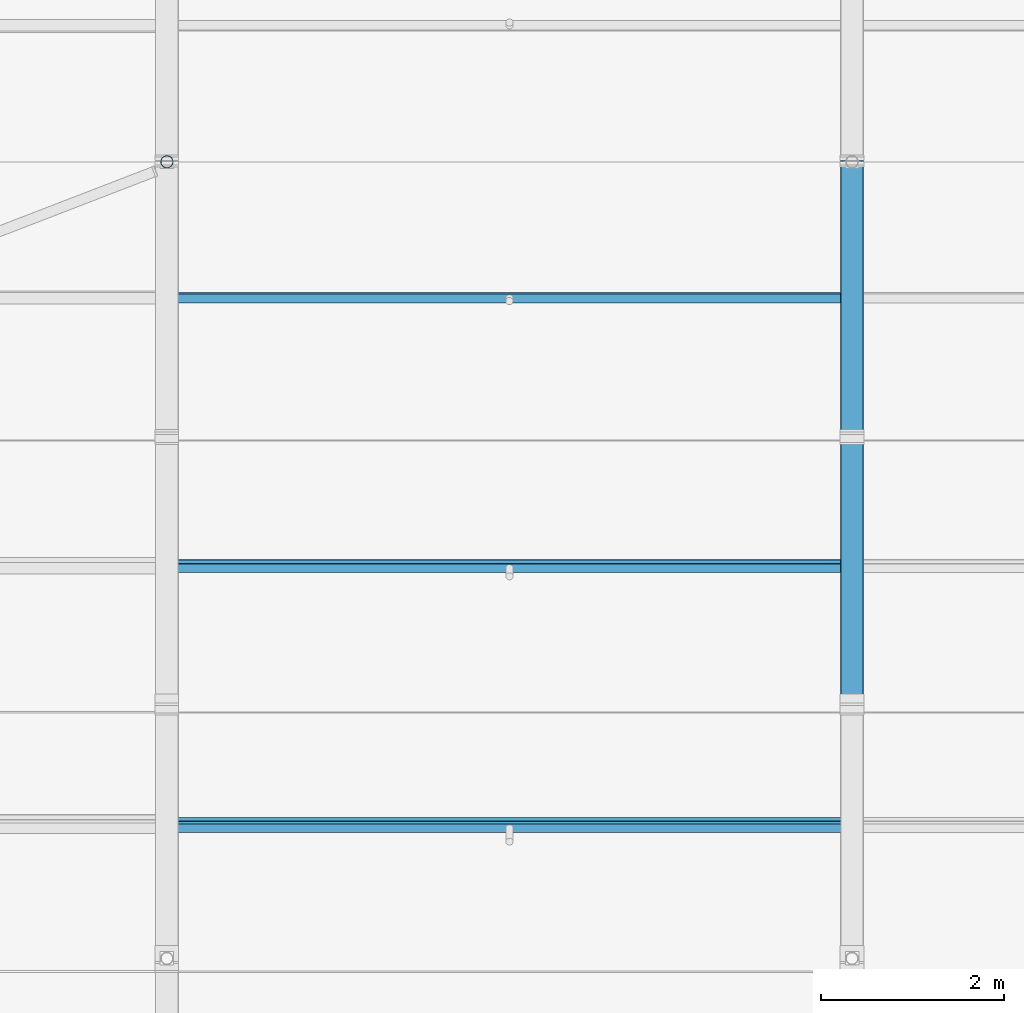
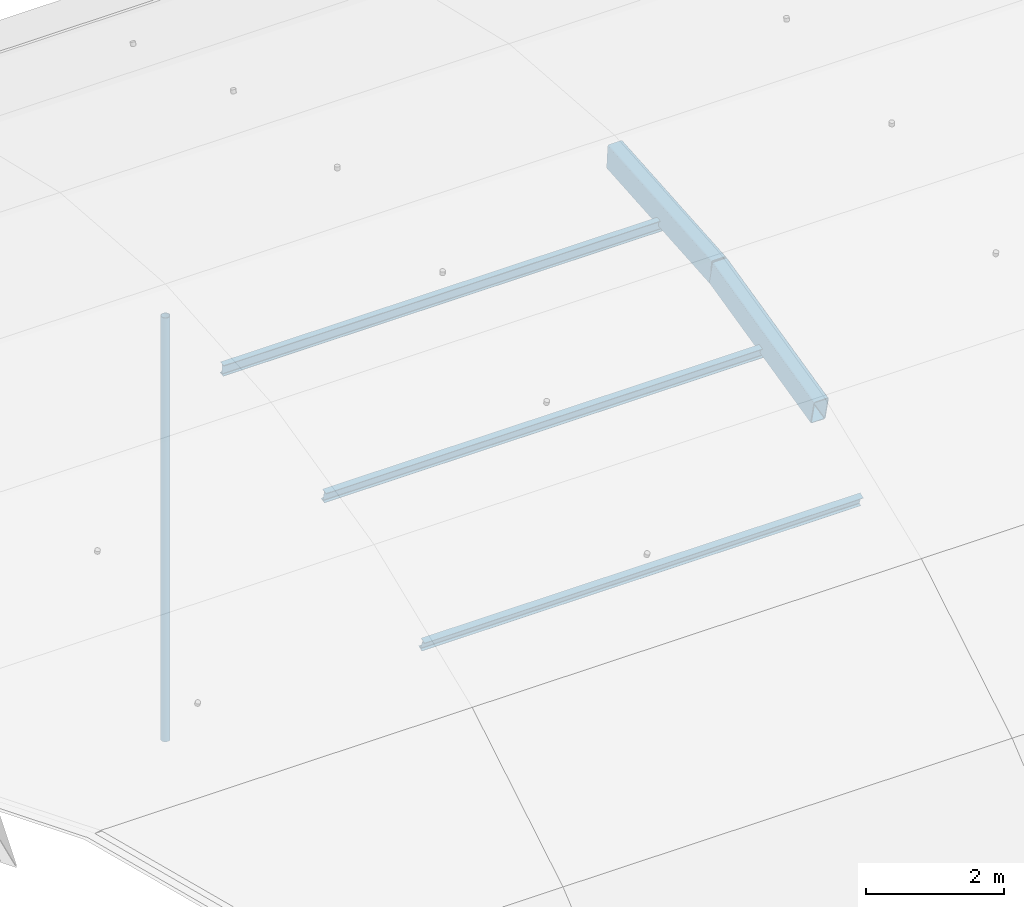
# One storey, part 7 of 77: 4 members, 2 beams.
"""IFC4 building model written with IfcOpenShell, lengths in metres."""

from ifc_helpers import new_model, si_unit, direction, frame, origin, origin_2d, place, context, subcontext, project, spatial, hollow_rectangle, hollow_circle, i_section, extrude, material, material_profile, profile_set, type_object, element, save


model = new_model("IFC4")

# Units and contexts
model_context = context("Model", 3, precision=1e-05, world=origin(), true_north=direction((0.0, 1.0)))
body_context = subcontext(model_context, "Body", "Model", "MODEL_VIEW")
ifc_project = project(units=[si_unit("LENGTHUNIT", "METRE"), si_unit("AREAUNIT", "SQUARE_METRE"), si_unit("VOLUMEUNIT", "CUBIC_METRE"), si_unit("PLANEANGLEUNIT", "RADIAN"), si_unit("MASSUNIT", "GRAM", prefix="KILO")], contexts=[model_context])

# Site, building, storey
site_placement = place(None, origin())
site = spatial("IfcSite", under=ifc_project, at=site_placement, CompositionType="ELEMENT")
building_placement = place(site_placement, origin())
building = spatial("IfcBuilding", under=site, at=building_placement, Name="Yukiwa Park Conservatory and Herbarium", CompositionType="ELEMENT")
storey_placement = place(building_placement, frame((0.0, 0.0, 13.199951171875)))
storey = spatial("IfcBuildingStorey", under=building, at=storey_placement, Name="L03", CompositionType="ELEMENT", Elevation=13.199951171875)

# Beams
ifc_material_1 = material(Name="Steel Q355D", Category="steel")
ifc_material_profile_1 = material_profile(ifc_material_1, hollow_rectangle(XDim=0.25, YDim=0.449951171875, WallThickness=0.013916015625, InnerFilletRadius=0.013916015625, OuterFilletRadius=0.028076171875, at=origin_2d()), Name="RHS 450x250x14")
ifc_profile_set_1 = profile_set([ifc_material_profile_1], Name="Steel Q355D")
beam_type = type_object("IfcBeamType", Name="BM-VLT-ARCH450", PredefinedType="BEAM", material=ifc_profile_set_1)
for number, where, z_axis, x_axis, name in (
    (1, (15.0, 9.668212890625, 2.676025390625), (0.0, 0.973254208946, 0.22973080936), (-1.0, 0.0, 0.0), "Conservatory barrel vault arch rib 3 chord 5"),
    (2, (15.0, 12.598388671875, 3.36767578125), (0.0, 0.997015721433, 0.077198777292), (-1.0, 0.0, 0.0), "Conservatory barrel vault arch rib 3 chord 6"),
):
    element("IfcBeam", number, at=place(storey_placement, frame(where, z_axis=z_axis, x_axis=x_axis)), inside=storey, type_object=beam_type, Name=name, PredefinedType="BEAM", context=body_context, shape_type="SweptSolid", body=[
        extrude(hollow_rectangle(XDim=0.25, YDim=0.449951171875, WallThickness=0.013916015625, InnerFilletRadius=0.013916015625, OuterFilletRadius=0.028076171875, at=origin_2d()), origin(), (0.0, 0.0, 1.0), 3.0107421875),
    ])

# Members
ifc_material_2 = material(Name="Steel Q355D", Category="steel")
ifc_material_profile_2 = material_profile(ifc_material_2, i_section(OverallWidth=0.10009765625, OverallDepth=0.199951171875, WebThickness=0.005615234375, FlangeThickness=0.008056640625, FilletRadius=0.010986328125, at=origin_2d()), Name="HN 200x100x5.5x8")
ifc_profile_set_2 = profile_set([ifc_material_profile_2], Name="Steel Q355D")
member_type_1 = type_object("IfcMemberType", Name="MB-VLT-PURL200", PredefinedType="PURLIN", material=ifc_profile_set_2)
for number, where, z_axis, x_axis, name in (
    (3, (7.5849609375, 8.340087890625, 1.945556640625), (1.0, 0.0, 0.0), (0.0, 0.926282194237, 0.376830594086), "Conservatory vault longitudinal purlin 2.4"),
    (4, (7.5849609375, 11.173583984375, 2.850341796875), (1.0, 0.0, 0.0), (0.0, 0.973249092076, 0.22975248589), "Conservatory vault longitudinal purlin 2.5"),
    (5, (7.5849609375, 14.11279296875, 3.308349609375), (1.0, 0.0, 0.0), (0.0, 0.997015814894, 0.077197570239), "Conservatory vault longitudinal purlin 2.6"),
):
    element("IfcMember", number, at=place(storey_placement, frame(where, z_axis=z_axis, x_axis=x_axis)), inside=storey, type_object=member_type_1, Name=name, PredefinedType="PURLIN", context=body_context, shape_type="SweptSolid", body=[
        extrude(i_section(OverallWidth=0.10009765625, OverallDepth=0.199951171875, WebThickness=0.005615234375, FlangeThickness=0.008056640625, FilletRadius=0.010986328125, at=origin_2d()), origin(), (0.0, 0.0, 1.0), 7.330078125),
    ])
ifc_material_3 = material(Name="Steel Q355D", Category="steel")
ifc_material_profile_3 = material_profile(ifc_material_3, hollow_circle(Radius=0.06982421875, WallThickness=0.008056640625, at=origin_2d()), Name="CHS 139.7x8")
ifc_profile_set_3 = profile_set([ifc_material_profile_3], Name="Steel Q355D")
member_type_2 = type_object("IfcMemberType", Name="MB-VLT-STRUT140", PredefinedType="STRUT", material=ifc_profile_set_3)
member_placement = place(storey_placement, frame((7.5, 15.60009765625, -4.095947265625), z_axis=(0.0, 0.0, 1.0), x_axis=(1.0, 0.0, 0.0)))
element("IfcMember", 6, at=member_placement, inside=storey, type_object=member_type_2, Name="Conservatory vault bowstring hanger 2.6", PredefinedType="STRUT", context=body_context, shape_type="SweptSolid", body=[
    extrude(hollow_circle(Radius=0.06982421875, WallThickness=0.008056640625, at=origin_2d()), origin(), (0.0, 0.0, 1.0), 7.48095703125),
])

save(model, "model.ifc")
